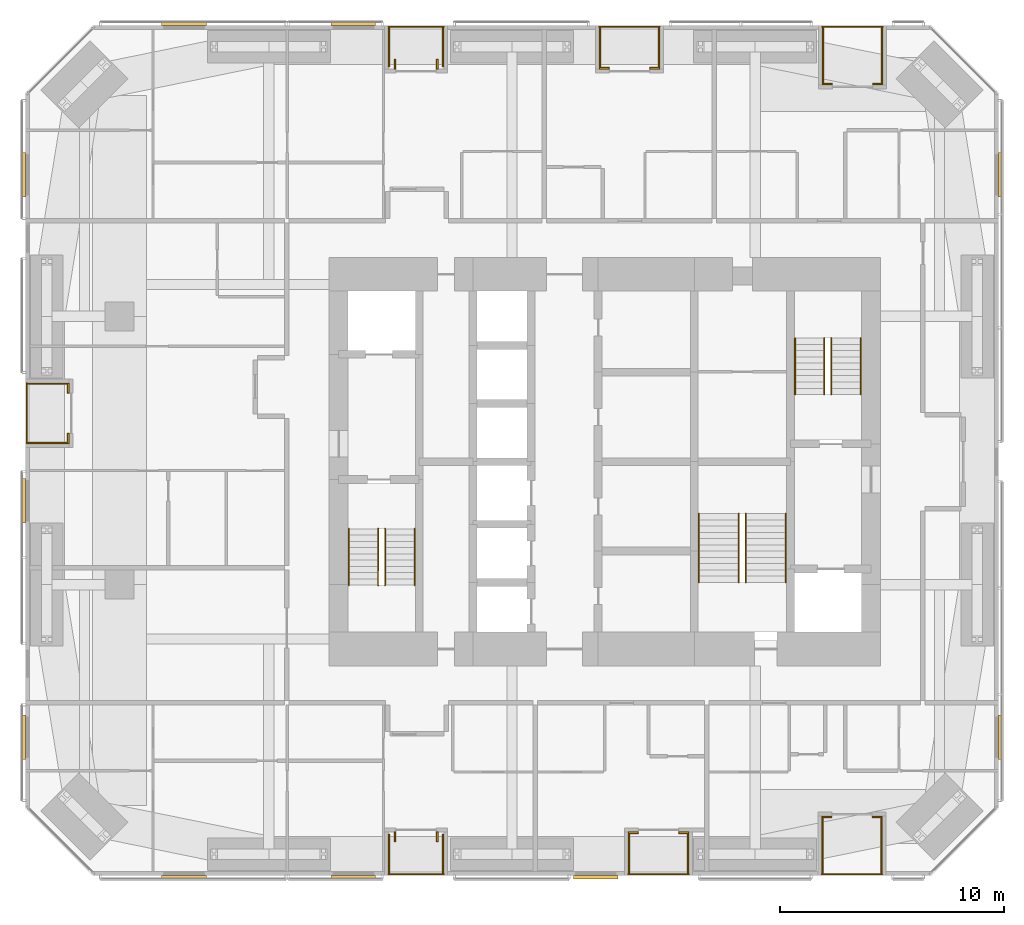
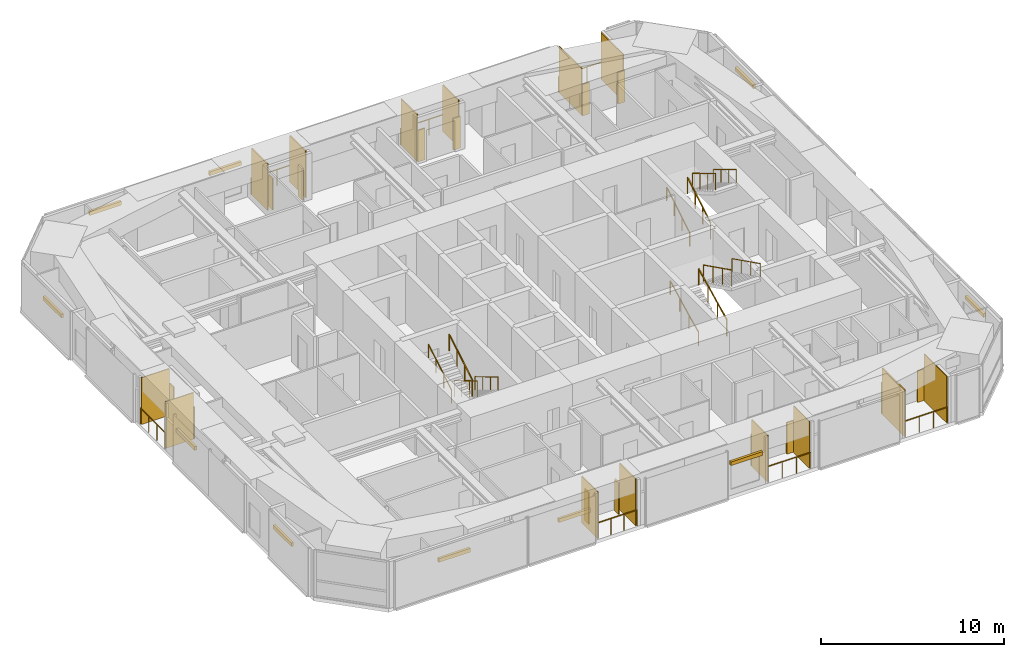
# One storey, part 25 of 25: 38 shading devices, 19 railings.
"""IFC4 building model written with IfcOpenShell, lengths in metres."""

from ifc_helpers import new_model, si_unit, direction, frame, origin, origin_2d, place, context, subcontext, project, spatial, rectangle, circle, extrude, material, layer, layer_set, constituent, constituent_set, type_object, element, save


model = new_model("IFC4")

# Units and contexts
model_context = context("Model", 3, precision=1e-05, world=origin(), true_north=direction((0.0, 1.0)))
body_context = subcontext(model_context, "Body", "Model", "MODEL_VIEW")
ifc_project = project(units=[si_unit("LENGTHUNIT", "METRE"), si_unit("AREAUNIT", "SQUARE_METRE"), si_unit("VOLUMEUNIT", "CUBIC_METRE"), si_unit("PLANEANGLEUNIT", "RADIAN"), si_unit("MASSUNIT", "GRAM", prefix="KILO")], contexts=[model_context])

# Site, building, storey
site_placement = place(None, origin())
site = spatial("IfcSite", under=ifc_project, at=site_placement, CompositionType="ELEMENT")
building_placement = place(site_placement, origin())
building = spatial("IfcBuilding", under=site, at=building_placement, Name="Jalousie Tower", CompositionType="ELEMENT")
storey_placement = place(building_placement, frame((0.0, 0.0, 101.5)))
storey = spatial("IfcBuildingStorey", under=building, at=storey_placement, Name="L27", CompositionType="ELEMENT", Elevation=101.5)

# Shading devices
ifc_material_1 = material(Name="Aluminium impact-rated louvred storm shutter", Category="aluminium")
shading_device_type_1 = type_object("IfcShadingDeviceType", Name="BI-FOLD STORM SHUTTER 900x2100", PredefinedType="SHUTTER", material=ifc_material_1)
for number, where, z_axis, x_axis, name in (
    (1, (22.5224609375, 1.72509765625, 0.0), (0.0, 0.0, 1.0), (0.0, 1.0, 0.0), "Loggia storm shutter L27"),
    (2, (24.402587890625, 1.72509765625, 0.0), (0.0, 0.0, 1.0), (0.0, 1.0, 0.0), "Loggia storm shutter L27"),
    (3, (33.175048828125, 1.909912109375, 0.0), (0.0, 0.0, 1.0), (1.0, 0.0, 0.0), "Loggia storm shutter L27"),
    (4, (35.425048828125, 1.909912109375, 0.0), (0.0, 0.0, 1.0), (1.0, 0.0, 0.0), "Loggia storm shutter L27"),
    (5, (41.824951171875, 2.610107421875, 0.0), (0.0, 0.0, 1.0), (1.0, 0.0, 0.0), "Loggia storm shutter L27"),
    (6, (44.074951171875, 2.610107421875, 0.0), (0.0, 0.0, 1.0), (1.0, 0.0, 0.0), "Loggia storm shutter L27"),
    (7, (44.0986328125, 35.389892578125, 0.0), (0.0, 0.0, 1.0), (-1.0, 0.0, 0.0), "Loggia storm shutter L27"),
    (8, (41.8486328125, 35.389892578125, 0.0), (0.0, 0.0, 1.0), (-1.0, 0.0, 0.0), "Loggia storm shutter L27"),
    (9, (34.125, 36.090087890625, 0.0), (0.0, 0.0, 1.0), (-1.0, 0.0, 0.0), "Loggia storm shutter L27"),
    (10, (31.875, 36.090087890625, 0.0), (0.0, 0.0, 1.0), (-1.0, 0.0, 0.0), "Loggia storm shutter L27"),
    (11, (24.402587890625, 36.27490234375, 0.0), (0.0, 0.0, 1.0), (0.0, -1.0, 0.0), "Loggia storm shutter L27"),
    (12, (22.5224609375, 36.27490234375, 0.0), (0.0, 0.0, 1.0), (0.0, -1.0, 0.0), "Loggia storm shutter L27"),
    (13, (7.909912109375, 21.78759765625, 0.0), (0.0, 0.0, 1.0), (0.0, -1.0, 0.0), "Loggia storm shutter L27"),
    (14, (7.909912109375, 19.53759765625, 0.0), (0.0, 0.0, 1.0), (0.0, -1.0, 0.0), "Loggia storm shutter L27"),
):
    element("IfcShadingDevice", number, at=place(storey_placement, frame(where, z_axis=z_axis, x_axis=x_axis)), inside=storey, type_object=shading_device_type_1, Name=name, PredefinedType="SHUTTER", context=body_context, shape_type="SweptSolid", body=[
        extrude(rectangle(XDim=0.449951171875, YDim=0.080078125, at=origin_2d()), origin(), (0.0, 0.0, 1.0), 2.10009765625),
    ])

# Railings
ifc_material_2 = material(Name="Powder-coated aluminium fretwork", Category="aluminium")
railing_type_1 = type_object("IfcRailingType", Name="FRETWORK BALUSTRADE 1100", PredefinedType="BALUSTRADE", material=ifc_material_2)
railing_1_placement = place(storey_placement, frame((22.22509765625, 0.050048828125, 0.0)))
element("IfcRailing", 15, at=railing_1_placement, inside=storey, type_object=railing_type_1, Name="Loggia fretwork balustrade L27", PredefinedType="BALUSTRADE", context=body_context, shape_type="SweptSolid", body=[
    extrude(rectangle(XDim=0.048095703125, YDim=0.048095703125, at=origin_2d()), frame((0.0, 0.0, 1.076171875), z_axis=(1.0, 0.0, 0.0), x_axis=(0.0, 1.0, 0.0)), (0.0, 0.0, 1.0), 2.474853515625),
    extrude(circle(Radius=0.02099609375, at=origin_2d()), origin(), (0.0, 0.0, 1.0), 1.052001953125),
    extrude(circle(Radius=0.02099609375, at=origin_2d()), frame((0.824951171875, 0.0, 0.0)), (0.0, 0.0, 1.0), 1.052001953125),
    extrude(circle(Radius=0.02099609375, at=origin_2d()), frame((1.64990234375, 0.0, 0.0)), (0.0, 0.0, 1.0), 1.052001953125),
    extrude(circle(Radius=0.02099609375, at=origin_2d()), frame((2.474853515625, 0.0, 0.0)), (0.0, 0.0, 1.0), 1.052001953125),
])
for number, where, name in (
    (16, (32.949951171875, 0.050048828125, 0.0), "Loggia fretwork balustrade L27"),
    (17, (41.60009765625, 0.050048828125, 0.0), "Loggia fretwork balustrade L27"),
):
    element("IfcRailing", number, at=place(storey_placement, frame(where)), inside=storey, type_object=railing_type_1, Name=name, PredefinedType="BALUSTRADE", context=body_context, shape_type="SweptSolid", body=[
        extrude(rectangle(XDim=0.048095703125, YDim=0.048095703125, at=origin_2d()), frame((0.0, 0.0, 1.076171875), z_axis=(1.0, 0.0, 0.0), x_axis=(0.0, 1.0, 0.0)), (0.0, 0.0, 1.0), 2.699951171875),
        extrude(circle(Radius=0.02099609375, at=origin_2d()), origin(), (0.0, 0.0, 1.0), 1.052001953125),
        extrude(circle(Radius=0.02099609375, at=origin_2d()), frame((0.89990234375, 0.0, 0.0)), (0.0, 0.0, 1.0), 1.052001953125),
        extrude(circle(Radius=0.02099609375, at=origin_2d()), frame((1.800048828125, 0.0, 0.0)), (0.0, 0.0, 1.0), 1.052001953125),
        extrude(circle(Radius=0.02099609375, at=origin_2d()), frame((2.699951171875, 0.0, 0.0)), (0.0, 0.0, 1.0), 1.052001953125),
    ])
railing_2_placement = place(storey_placement, frame((44.32373046875, 37.949951171875, 0.0)))
element("IfcRailing", 18, at=railing_2_placement, inside=storey, type_object=railing_type_1, Name="Loggia fretwork balustrade L27", PredefinedType="BALUSTRADE", context=body_context, shape_type="SweptSolid", body=[
    extrude(rectangle(XDim=0.048095703125, YDim=0.048095703125, at=origin_2d()), frame((0.0, 0.0, 1.076171875), z_axis=(-1.0, 0.0, 0.0), x_axis=(0.0, -1.0, 0.0)), (0.0, 0.0, 1.0), 2.699951171875),
    extrude(circle(Radius=0.02099609375, at=origin_2d()), origin(), (0.0, 0.0, 1.0), 1.052001953125),
    extrude(circle(Radius=0.02099609375, at=origin_2d()), frame((-0.89990234375, 0.0, 0.0)), (0.0, 0.0, 1.0), 1.052001953125),
    extrude(circle(Radius=0.02099609375, at=origin_2d()), frame((-1.800048828125, 0.0, 0.0)), (0.0, 0.0, 1.0), 1.052001953125),
    extrude(circle(Radius=0.02099609375, at=origin_2d()), frame((-2.699951171875, 0.0, 0.0)), (0.0, 0.0, 1.0), 1.052001953125),
])
railing_3_placement = place(storey_placement, frame((34.35009765625, 37.949951171875, 0.0)))
element("IfcRailing", 19, at=railing_3_placement, inside=storey, type_object=railing_type_1, Name="Loggia fretwork balustrade L27", PredefinedType="BALUSTRADE", context=body_context, shape_type="SweptSolid", body=[
    extrude(rectangle(XDim=0.048095703125, YDim=0.048095703125, at=origin_2d()), frame((0.0, 0.0, 1.076171875), z_axis=(-1.0, 0.0, 0.0), x_axis=(0.0, -1.0, 0.0)), (0.0, 0.0, 1.0), 2.7001953125),
    extrude(circle(Radius=0.02099609375, at=origin_2d()), origin(), (0.0, 0.0, 1.0), 1.052001953125),
    extrude(circle(Radius=0.02099609375, at=origin_2d()), frame((-0.900146484375, 0.0, 0.0)), (0.0, 0.0, 1.0), 1.052001953125),
    extrude(circle(Radius=0.02099609375, at=origin_2d()), frame((-1.800048828125, 0.0, 0.0)), (0.0, 0.0, 1.0), 1.052001953125),
    extrude(circle(Radius=0.02099609375, at=origin_2d()), frame((-2.7001953125, 0.0, 0.0)), (0.0, 0.0, 1.0), 1.052001953125),
])
railing_4_placement = place(storey_placement, frame((24.699951171875, 37.949951171875, 0.0)))
element("IfcRailing", 20, at=railing_4_placement, inside=storey, type_object=railing_type_1, Name="Loggia fretwork balustrade L27", PredefinedType="BALUSTRADE", context=body_context, shape_type="SweptSolid", body=[
    extrude(rectangle(XDim=0.048095703125, YDim=0.048095703125, at=origin_2d()), frame((0.0, 0.0, 1.076171875), z_axis=(-1.0, 0.0, 0.0), x_axis=(0.0, -1.0, 0.0)), (0.0, 0.0, 1.0), 2.474853515625),
    extrude(circle(Radius=0.02099609375, at=origin_2d()), origin(), (0.0, 0.0, 1.0), 1.052001953125),
    extrude(circle(Radius=0.02099609375, at=origin_2d()), frame((-0.824951171875, 0.0, 0.0)), (0.0, 0.0, 1.0), 1.052001953125),
    extrude(circle(Radius=0.02099609375, at=origin_2d()), frame((-1.64990234375, 0.0, 0.0)), (0.0, 0.0, 1.0), 1.052001953125),
    extrude(circle(Radius=0.02099609375, at=origin_2d()), frame((-2.474853515625, 0.0, 0.0)), (0.0, 0.0, 1.0), 1.052001953125),
])
railing_5_placement = place(storey_placement, frame((6.050048828125, 22.012451171875, 0.0)))
element("IfcRailing", 21, at=railing_5_placement, inside=storey, type_object=railing_type_1, Name="Loggia fretwork balustrade L27", PredefinedType="BALUSTRADE", context=body_context, shape_type="SweptSolid", body=[
    extrude(rectangle(XDim=0.048095703125, YDim=0.048095703125, at=origin_2d()), frame((0.0, 0.0, 1.076171875), z_axis=(0.0, -1.0, 0.0), x_axis=(1.0, 0.0, 0.0)), (0.0, 0.0, 1.0), 2.699951171875),
    extrude(circle(Radius=0.02099609375, at=origin_2d()), origin(), (0.0, 0.0, 1.0), 1.052001953125),
    extrude(circle(Radius=0.02099609375, at=origin_2d()), frame((0.0, -0.89990234375, 0.0)), (0.0, 0.0, 1.0), 1.052001953125),
    extrude(circle(Radius=0.02099609375, at=origin_2d()), frame((0.0, -1.800048828125, 0.0)), (0.0, 0.0, 1.0), 1.052001953125),
    extrude(circle(Radius=0.02099609375, at=origin_2d()), frame((0.0, -2.699951171875, 0.0)), (0.0, 0.0, 1.0), 1.052001953125),
])

# Shading devices
ifc_material_3 = material(Name="Powder-coated aluminium louvres", Category="aluminium")
ifc_layer = layer(ifc_material_3, 0.06005859375)
ifc_layer_set = layer_set([ifc_layer], Name="Powder-coated aluminium louvres")
shading_device_type_2 = type_object("IfcShadingDeviceType", Name="JALOUSIE LOUVRE SCREEN", PredefinedType="JALOUSIE", material=ifc_layer_set)
for number, where, z_axis, x_axis, name in (
    (22, (22.2548828125, 0.97509765625, 0.0), (0.0, 0.0, 1.0), (1.0, 0.0, 0.0), "Loggia jalousie louvre screen L27"),
    (23, (24.669921875, 0.97509765625, 0.0), (0.0, 0.0, 1.0), (1.0, 0.0, 0.0), "Loggia jalousie louvre screen L27"),
    (24, (32.97998046875, 0.97509765625, 0.0), (0.0, 0.0, 1.0), (1.0, 0.0, 0.0), "Loggia jalousie louvre screen L27"),
    (25, (35.6201171875, 0.97509765625, 0.0), (0.0, 0.0, 1.0), (1.0, 0.0, 0.0), "Loggia jalousie louvre screen L27"),
):
    element("IfcShadingDevice", number, at=place(storey_placement, frame(where, z_axis=z_axis, x_axis=x_axis)), inside=storey, type_object=shading_device_type_2, Name=name, PredefinedType="JALOUSIE", context=body_context, shape_type="SweptSolid", body=[
        extrude(rectangle(XDim=0.06005859375, YDim=1.75, at=origin_2d()), origin(), (0.0, 0.0, 1.0), 3.110107421875),
    ])
for number, where, z_axis, x_axis, name in (
    (26, (41.6298828125, 1.324951171875, 0.0), (0.0, 0.0, 1.0), (1.0, 0.0, 0.0), "Loggia jalousie louvre screen L27"),
    (27, (44.27001953125, 1.324951171875, 0.0), (0.0, 0.0, 1.0), (1.0, 0.0, 0.0), "Loggia jalousie louvre screen L27"),
    (28, (44.293701171875, 36.675048828125, 0.0), (0.0, 0.0, 1.0), (-1.0, 0.0, 0.0), "Loggia jalousie louvre screen L27"),
    (29, (41.65380859375, 36.675048828125, 0.0), (0.0, 0.0, 1.0), (-1.0, 0.0, 0.0), "Loggia jalousie louvre screen L27"),
):
    element("IfcShadingDevice", number, at=place(storey_placement, frame(where, z_axis=z_axis, x_axis=x_axis)), inside=storey, type_object=shading_device_type_2, Name=name, PredefinedType="JALOUSIE", context=body_context, shape_type="SweptSolid", body=[
        extrude(rectangle(XDim=0.06005859375, YDim=2.449951171875, at=origin_2d()), origin(), (0.0, 0.0, 1.0), 3.110107421875),
    ])
for number, where, z_axis, x_axis, name in (
    (30, (34.320068359375, 37.02490234375, 0.0), (0.0, 0.0, 1.0), (-1.0, 0.0, 0.0), "Loggia jalousie louvre screen L27"),
    (31, (31.679931640625, 37.02490234375, 0.0), (0.0, 0.0, 1.0), (-1.0, 0.0, 0.0), "Loggia jalousie louvre screen L27"),
    (32, (24.669921875, 37.02490234375, 0.0), (0.0, 0.0, 1.0), (-1.0, 0.0, 0.0), "Loggia jalousie louvre screen L27"),
    (33, (22.2548828125, 37.02490234375, 0.0), (0.0, 0.0, 1.0), (-1.0, 0.0, 0.0), "Loggia jalousie louvre screen L27"),
    (34, (6.97509765625, 21.982421875, 0.0), (0.0, 0.0, 1.0), (0.0, -1.0, 0.0), "Loggia jalousie louvre screen L27"),
    (35, (6.97509765625, 19.342529296875, 0.0), (0.0, 0.0, 1.0), (0.0, -1.0, 0.0), "Loggia jalousie louvre screen L27"),
):
    element("IfcShadingDevice", number, at=place(storey_placement, frame(where, z_axis=z_axis, x_axis=x_axis)), inside=storey, type_object=shading_device_type_2, Name=name, PredefinedType="JALOUSIE", context=body_context, shape_type="SweptSolid", body=[
        extrude(rectangle(XDim=0.06005859375, YDim=1.75, at=origin_2d()), origin(), (0.0, 0.0, 1.0), 3.110107421875),
    ])

# Railings
ifc_material_4 = material(Name="Steel ASTM A500 Grade C", Category="steel")
ifc_constituent_1 = constituent(ifc_material_4, Name="Body")
ifc_material_5 = material(Name="Hot-dip galvanised zinc coating")
ifc_constituent_2 = constituent(ifc_material_5, Name="Finish")
ifc_constituent_set_1 = constituent_set(constituents=[ifc_constituent_1, ifc_constituent_2])
railing_type_2 = type_object("IfcRailingType", Name="STAIR GUARD 1100", PredefinedType="GUARDRAIL", material=ifc_constituent_set_1)
railing_6_placement = place(storey_placement, frame((22.080078125, 15.49755859375, 0.16748046875)))
element("IfcRailing", 36, at=railing_6_placement, inside=storey, type_object=railing_type_2, Name="Exit stair A guard L27 flight 1", PredefinedType="GUARDRAIL", context=body_context, shape_type="SweptSolid", body=[
    extrude(rectangle(XDim=0.048095703125, YDim=0.048095703125, at=origin_2d()), frame((0.0, 0.0, 1.076171875), z_axis=(0.0, -0.858159760407, 0.513382728203), x_axis=(1.0, 0.0, 0.0)), (0.0, 0.0, 1.0), 2.9365234375),
    extrude(circle(Radius=0.02099609375, at=origin_2d()), origin(), (0.0, 0.0, 1.0), 1.052001953125),
    extrude(circle(Radius=0.02099609375, at=origin_2d()), frame((0.0, -0.840087890625, 0.50244140625)), (0.0, 0.0, 1.0), 1.052001953125),
    extrude(circle(Radius=0.02099609375, at=origin_2d()), frame((0.0, -1.679931640625, 1.005126953125)), (0.0, 0.0, 1.0), 1.052001953125),
    extrude(circle(Radius=0.02099609375, at=origin_2d()), frame((0.0, -2.52001953125, 1.507568359375)), (0.0, 0.0, 1.0), 1.052001953125),
])
for number, where, name in (
    (37, (21.77001953125, 12.9775390625, 1.842529296875), "Exit stair A guard L27 flight 2"),
    (38, (41.719970703125, 21.50244140625, 0.16748046875), "Exit stair B guard L27 flight 1"),
):
    element("IfcRailing", number, at=place(storey_placement, frame(where)), inside=storey, type_object=railing_type_2, Name=name, PredefinedType="GUARDRAIL", context=body_context, shape_type="SweptSolid", body=[
        extrude(rectangle(XDim=0.048095703125, YDim=0.048095703125, at=origin_2d()), frame((0.0, 0.0, 1.076171875), z_axis=(0.0, 0.858159760407, 0.513382728203), x_axis=(-1.0, 0.0, 0.0)), (0.0, 0.0, 1.0), 2.9365234375),
        extrude(circle(Radius=0.02099609375, at=origin_2d()), origin(), (0.0, 0.0, 1.0), 1.052001953125),
        extrude(circle(Radius=0.02099609375, at=origin_2d()), frame((0.0, 0.840087890625, 0.50244140625)), (0.0, 0.0, 1.0), 1.052001953125),
        extrude(circle(Radius=0.02099609375, at=origin_2d()), frame((0.0, 1.679931640625, 1.005126953125)), (0.0, 0.0, 1.0), 1.052001953125),
        extrude(circle(Radius=0.02099609375, at=origin_2d()), frame((0.0, 2.52001953125, 1.507568359375)), (0.0, 0.0, 1.0), 1.052001953125),
    ])
railing_7_placement = place(storey_placement, frame((42.030029296875, 24.0224609375, 1.842529296875)))
element("IfcRailing", 39, at=railing_7_placement, inside=storey, type_object=railing_type_2, Name="Exit stair B guard L27 flight 2", PredefinedType="GUARDRAIL", context=body_context, shape_type="SweptSolid", body=[
    extrude(rectangle(XDim=0.048095703125, YDim=0.048095703125, at=origin_2d()), frame((0.0, 0.0, 1.076171875), z_axis=(0.0, -0.858159760407, 0.513382728203), x_axis=(1.0, 0.0, 0.0)), (0.0, 0.0, 1.0), 2.9365234375),
    extrude(circle(Radius=0.02099609375, at=origin_2d()), origin(), (0.0, 0.0, 1.0), 1.052001953125),
    extrude(circle(Radius=0.02099609375, at=origin_2d()), frame((0.0, -0.840087890625, 0.50244140625)), (0.0, 0.0, 1.0), 1.052001953125),
    extrude(circle(Radius=0.02099609375, at=origin_2d()), frame((0.0, -1.679931640625, 1.005126953125)), (0.0, 0.0, 1.0), 1.052001953125),
    extrude(circle(Radius=0.02099609375, at=origin_2d()), frame((0.0, -2.52001953125, 1.507568359375)), (0.0, 0.0, 1.0), 1.052001953125),
])
railing_8_placement = place(storey_placement, frame((37.89501953125, 13.097412109375, 0.1396484375)))
element("IfcRailing", 40, at=railing_8_placement, inside=storey, type_object=railing_type_2, Name="Exit stair C guard L27 flight 1", PredefinedType="GUARDRAIL", context=body_context, shape_type="SweptSolid", body=[
    extrude(rectangle(XDim=0.048095703125, YDim=0.048095703125, at=origin_2d()), frame((0.0, 0.0, 1.076171875), z_axis=(0.0, 0.894965676997, 0.446134998624), x_axis=(-1.0, 0.0, 0.0)), (0.0, 0.0, 1.0), 3.441650390625),
    extrude(circle(Radius=0.02099609375, at=origin_2d()), origin(), (0.0, 0.0, 1.0), 1.052001953125),
    extrude(circle(Radius=0.02099609375, at=origin_2d()), frame((0.0, 1.026611328125, 0.51171875)), (0.0, 0.0, 1.0), 1.052001953125),
    extrude(circle(Radius=0.02099609375, at=origin_2d()), frame((0.0, 2.053466796875, 1.023681640625)), (0.0, 0.0, 1.0), 1.052001953125),
    extrude(circle(Radius=0.02099609375, at=origin_2d()), frame((0.0, 3.080078125, 1.535400390625)), (0.0, 0.0, 1.0), 1.052001953125),
])
railing_9_placement = place(storey_placement, frame((38.205078125, 16.177490234375, 1.814697265625)))
element("IfcRailing", 41, at=railing_9_placement, inside=storey, type_object=railing_type_2, Name="Exit stair C guard L27 flight 2", PredefinedType="GUARDRAIL", context=body_context, shape_type="SweptSolid", body=[
    extrude(rectangle(XDim=0.048095703125, YDim=0.048095703125, at=origin_2d()), frame((0.0, 0.0, 1.076171875), z_axis=(0.0, -0.894965676997, 0.446134998624), x_axis=(1.0, 0.0, 0.0)), (0.0, 0.0, 1.0), 3.441650390625),
    extrude(circle(Radius=0.02099609375, at=origin_2d()), origin(), (0.0, 0.0, 1.0), 1.052001953125),
    extrude(circle(Radius=0.02099609375, at=origin_2d()), frame((0.0, -1.026611328125, 0.51171875)), (0.0, 0.0, 1.0), 1.052001953125),
    extrude(circle(Radius=0.02099609375, at=origin_2d()), frame((0.0, -2.053466796875, 1.023681640625)), (0.0, 0.0, 1.0), 1.052001953125),
    extrude(circle(Radius=0.02099609375, at=origin_2d()), frame((0.0, -3.080078125, 1.535400390625)), (0.0, 0.0, 1.0), 1.052001953125),
])
ifc_material_6 = material(Name="Steel ASTM A500 Grade C", Category="steel")
ifc_constituent_3 = constituent(ifc_material_6, Name="Body")
ifc_material_7 = material(Name="Hot-dip galvanised zinc coating")
ifc_constituent_4 = constituent(ifc_material_7, Name="Finish")
ifc_constituent_set_2 = constituent_set(constituents=[ifc_constituent_3, ifc_constituent_4])
railing_type_3 = type_object("IfcRailingType", Name="STAIR HANDRAIL 900", PredefinedType="HANDRAIL", material=ifc_constituent_set_2)
railing_10_placement = place(storey_placement, frame((23.39501953125, 15.49755859375, 0.16748046875)))
element("IfcRailing", 42, at=railing_10_placement, inside=storey, type_object=railing_type_3, Name="Exit stair A handrail L27 flight 1", PredefinedType="HANDRAIL", context=body_context, shape_type="SweptSolid", body=[
    extrude(circle(Radius=0.02392578125, at=origin_2d()), frame((0.0, 0.0, 0.8759765625), z_axis=(0.0, -0.858159760407, 0.513382728203), x_axis=(1.0, 0.0, 0.0)), (0.0, 0.0, 1.0), 2.9365234375),
    extrude(circle(Radius=0.02099609375, at=origin_2d()), origin(), (0.0, 0.0, 1.0), 0.851806640625),
    extrude(circle(Radius=0.02099609375, at=origin_2d()), frame((0.0, -0.840087890625, 0.50244140625)), (0.0, 0.0, 1.0), 0.851806640625),
    extrude(circle(Radius=0.02099609375, at=origin_2d()), frame((0.0, -1.679931640625, 1.005126953125)), (0.0, 0.0, 1.0), 0.851806640625),
    extrude(circle(Radius=0.02099609375, at=origin_2d()), frame((0.0, -2.52001953125, 1.507568359375)), (0.0, 0.0, 1.0), 0.851806640625),
])
for number, where, name in (
    (43, (20.455078125, 12.9775390625, 1.842529296875), "Exit stair A handrail L27 flight 2"),
    (44, (40.405029296875, 21.50244140625, 0.16748046875), "Exit stair B handrail L27 flight 1"),
):
    element("IfcRailing", number, at=place(storey_placement, frame(where)), inside=storey, type_object=railing_type_3, Name=name, PredefinedType="HANDRAIL", context=body_context, shape_type="SweptSolid", body=[
        extrude(circle(Radius=0.02392578125, at=origin_2d()), frame((0.0, 0.0, 0.8759765625), z_axis=(0.0, 0.858159760407, 0.513382728203), x_axis=(-1.0, 0.0, 0.0)), (0.0, 0.0, 1.0), 2.9365234375),
        extrude(circle(Radius=0.02099609375, at=origin_2d()), origin(), (0.0, 0.0, 1.0), 0.851806640625),
        extrude(circle(Radius=0.02099609375, at=origin_2d()), frame((0.0, 0.840087890625, 0.50244140625)), (0.0, 0.0, 1.0), 0.851806640625),
        extrude(circle(Radius=0.02099609375, at=origin_2d()), frame((0.0, 1.679931640625, 1.005126953125)), (0.0, 0.0, 1.0), 0.851806640625),
        extrude(circle(Radius=0.02099609375, at=origin_2d()), frame((0.0, 2.52001953125, 1.507568359375)), (0.0, 0.0, 1.0), 0.851806640625),
    ])
railing_11_placement = place(storey_placement, frame((43.344970703125, 24.0224609375, 1.842529296875)))
element("IfcRailing", 45, at=railing_11_placement, inside=storey, type_object=railing_type_3, Name="Exit stair B handrail L27 flight 2", PredefinedType="HANDRAIL", context=body_context, shape_type="SweptSolid", body=[
    extrude(circle(Radius=0.02392578125, at=origin_2d()), frame((0.0, 0.0, 0.8759765625), z_axis=(0.0, -0.858159760407, 0.513382728203), x_axis=(1.0, 0.0, 0.0)), (0.0, 0.0, 1.0), 2.9365234375),
    extrude(circle(Radius=0.02099609375, at=origin_2d()), origin(), (0.0, 0.0, 1.0), 0.851806640625),
    extrude(circle(Radius=0.02099609375, at=origin_2d()), frame((0.0, -0.840087890625, 0.50244140625)), (0.0, 0.0, 1.0), 0.851806640625),
    extrude(circle(Radius=0.02099609375, at=origin_2d()), frame((0.0, -1.679931640625, 1.005126953125)), (0.0, 0.0, 1.0), 0.851806640625),
    extrude(circle(Radius=0.02099609375, at=origin_2d()), frame((0.0, -2.52001953125, 1.507568359375)), (0.0, 0.0, 1.0), 0.851806640625),
])
railing_12_placement = place(storey_placement, frame((36.10498046875, 13.097412109375, 0.1396484375)))
element("IfcRailing", 46, at=railing_12_placement, inside=storey, type_object=railing_type_3, Name="Exit stair C handrail L27 flight 1", PredefinedType="HANDRAIL", context=body_context, shape_type="SweptSolid", body=[
    extrude(circle(Radius=0.02392578125, at=origin_2d()), frame((0.0, 0.0, 0.8759765625), z_axis=(0.0, 0.894965676997, 0.446134998624), x_axis=(-1.0, 0.0, 0.0)), (0.0, 0.0, 1.0), 3.441650390625),
    extrude(circle(Radius=0.02099609375, at=origin_2d()), origin(), (0.0, 0.0, 1.0), 0.851806640625),
    extrude(circle(Radius=0.02099609375, at=origin_2d()), frame((0.0, 1.026611328125, 0.51171875)), (0.0, 0.0, 1.0), 0.851806640625),
    extrude(circle(Radius=0.02099609375, at=origin_2d()), frame((0.0, 2.053466796875, 1.023681640625)), (0.0, 0.0, 1.0), 0.851806640625),
    extrude(circle(Radius=0.02099609375, at=origin_2d()), frame((0.0, 3.080078125, 1.535400390625)), (0.0, 0.0, 1.0), 0.851806640625),
])
railing_13_placement = place(storey_placement, frame((39.9951171875, 16.177490234375, 1.814697265625)))
element("IfcRailing", 47, at=railing_13_placement, inside=storey, type_object=railing_type_3, Name="Exit stair C handrail L27 flight 2", PredefinedType="HANDRAIL", context=body_context, shape_type="SweptSolid", body=[
    extrude(circle(Radius=0.02392578125, at=origin_2d()), frame((0.0, 0.0, 0.8759765625), z_axis=(0.0, -0.894965676997, 0.446134998624), x_axis=(1.0, 0.0, 0.0)), (0.0, 0.0, 1.0), 3.441650390625),
    extrude(circle(Radius=0.02099609375, at=origin_2d()), origin(), (0.0, 0.0, 1.0), 0.851806640625),
    extrude(circle(Radius=0.02099609375, at=origin_2d()), frame((0.0, -1.026611328125, 0.51171875)), (0.0, 0.0, 1.0), 0.851806640625),
    extrude(circle(Radius=0.02099609375, at=origin_2d()), frame((0.0, -2.053466796875, 1.023681640625)), (0.0, 0.0, 1.0), 0.851806640625),
    extrude(circle(Radius=0.02099609375, at=origin_2d()), frame((0.0, -3.080078125, 1.535400390625)), (0.0, 0.0, 1.0), 0.851806640625),
])

# Shading devices
ifc_material_8 = material(Name="Aluminium roller storm shutter", Category="aluminium")
shading_device_type_3 = type_object("IfcShadingDeviceType", Name="STORM SHUTTER HOUSING", PredefinedType="SHUTTER", material=ifc_material_8)
for number, where, z_axis, x_axis, name in (
    (48, (13.0849609375, -0.074951171875, 2.10009765625), (0.0, 0.0, 1.0), (1.0, 0.0, 0.0), "Storm shutter L27"),
    (49, (20.657470703125, -0.074951171875, 2.10009765625), (0.0, 0.0, 1.0), (1.0, 0.0, 0.0), "Storm shutter L27"),
    (50, (31.5, -0.074951171875, 2.10009765625), (0.0, 0.0, 1.0), (1.0, 0.0, 0.0), "Storm shutter L27"),
    (51, (49.574951171875, 6.175537109375, 2.10009765625), (0.0, 0.0, 1.0), (0.0, 1.0, 0.0), "Storm shutter L27"),
    (52, (49.574951171875, 31.324462890625, 2.10009765625), (0.0, 0.0, 1.0), (0.0, 1.0, 0.0), "Storm shutter L27"),
    (53, (20.657470703125, 38.074951171875, 2.10009765625), (0.0, 0.0, 1.0), (-1.0, 0.0, 0.0), "Storm shutter L27"),
    (54, (13.0849609375, 38.074951171875, 2.10009765625), (0.0, 0.0, 1.0), (-1.0, 0.0, 0.0), "Storm shutter L27"),
    (55, (5.925048828125, 31.324462890625, 2.10009765625), (0.0, 0.0, 1.0), (0.0, -1.0, 0.0), "Storm shutter L27"),
    (56, (5.925048828125, 16.75634765625, 2.10009765625), (0.0, 0.0, 1.0), (0.0, -1.0, 0.0), "Storm shutter L27"),
    (57, (5.925048828125, 6.17529296875, 2.10009765625), (0.0, 0.0, 1.0), (0.0, -1.0, 0.0), "Storm shutter L27"),
):
    element("IfcShadingDevice", number, at=place(storey_placement, frame(where, z_axis=z_axis, x_axis=x_axis)), inside=storey, type_object=shading_device_type_3, Name=name, PredefinedType="SHUTTER", context=body_context, shape_type="SweptSolid", body=[
        extrude(rectangle(XDim=2.0, YDim=0.14990234375, at=origin_2d()), origin(), (0.0, 0.0, 1.0), 0.25),
    ])

save(model, "model.ifc")
